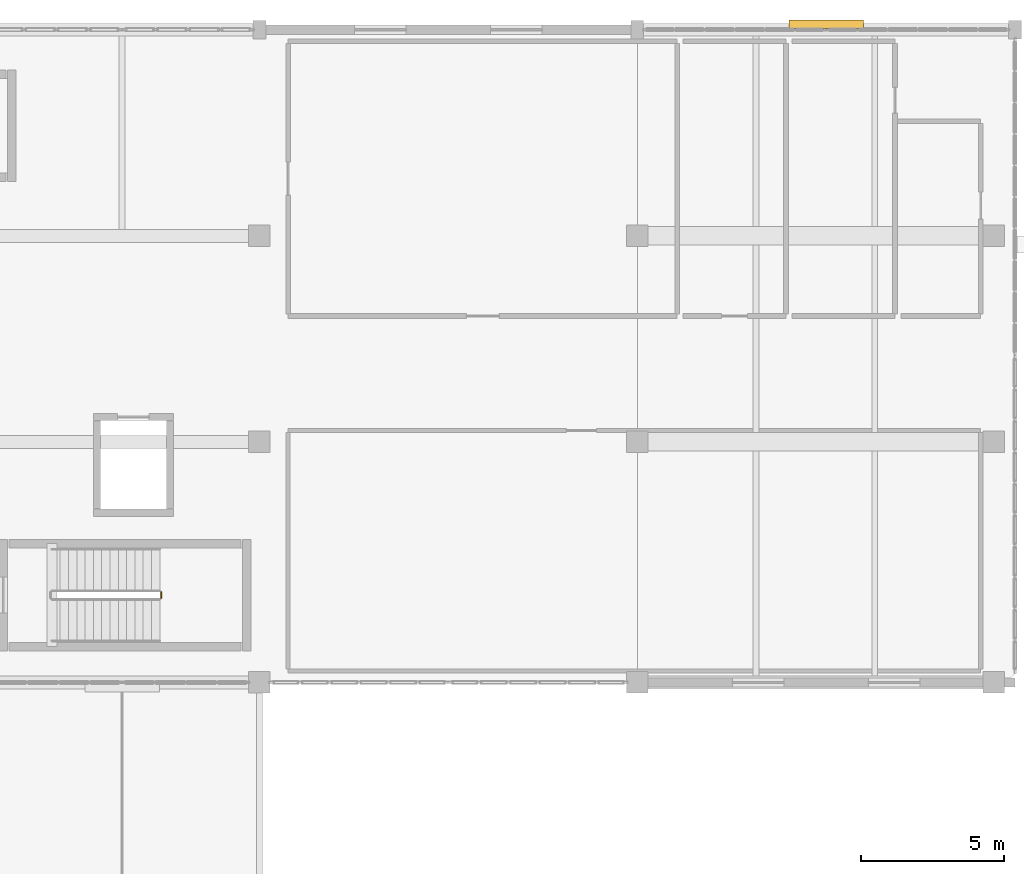
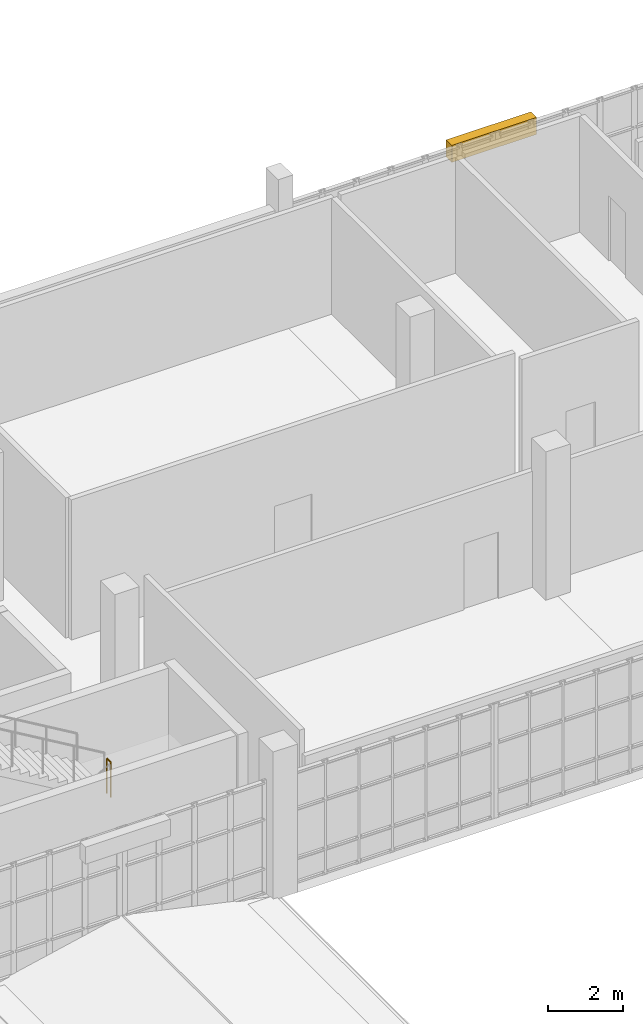
# One storey, part 106 of 106: 1 railing, 1 shading device.
"""IFC4 building model written with IfcOpenShell, lengths in metres."""

from ifc_helpers import new_model, si_unit, direction, frame, origin, origin_2d, place, context, subcontext, project, spatial, rectangle, circle, extrude, material, layer, layer_set, type_object, element, save


model = new_model("IFC4")

# Units and contexts
model_context = context("Model", 3, precision=1e-05, world=origin(), true_north=direction((0.0, 1.0)))
body_context = subcontext(model_context, "Body", "Model", "MODEL_VIEW")
ifc_project = project(units=[si_unit("LENGTHUNIT", "METRE"), si_unit("AREAUNIT", "SQUARE_METRE"), si_unit("VOLUMEUNIT", "CUBIC_METRE"), si_unit("PLANEANGLEUNIT", "RADIAN"), si_unit("MASSUNIT", "GRAM", prefix="KILO")], contexts=[model_context])

# Site, building, storey
site_placement = place(None, origin())
site = spatial("IfcSite", under=ifc_project, at=site_placement, CompositionType="ELEMENT")
building_placement = place(site_placement, origin())
building = spatial("IfcBuilding", under=site, at=building_placement, Name="Kisaragi Civic Commons", CompositionType="ELEMENT")
storey_placement = place(building_placement, frame((0.0, 0.0, 4.800048828125)))
storey = spatial("IfcBuildingStorey", under=building, at=storey_placement, Name="L01", CompositionType="ELEMENT", Elevation=4.800048828125)

# Railing
ifc_material_1 = material(Name="Powder-coated architectural steel and hinoki cap rail", Category="steel")
railing_type = type_object("IfcRailingType", Name="GRD-S1", PredefinedType="GUARDRAIL", material=ifc_material_1)
railing_placement = place(storey_placement, frame((129.77001953125, 98.949951171875, 2.39990234375)))
element("IfcRailing", 1, at=railing_placement, inside=storey, type_object=railing_type, Name="L01 ST-L3 stair guard 2", PredefinedType="GUARDRAIL", context=body_context, shape_type="SweptSolid", body=[
    extrude(circle(Radius=0.02392578125, at=origin_2d()), frame((0.0, 0.0, 1.1259765625), z_axis=(0.0, 1.0, 0.0), x_axis=(-1.0, 0.0, 0.0)), (0.0, 0.0, 1.0), 0.199951171875),
    extrude(circle(Radius=0.02099609375, at=origin_2d()), origin(), (0.0, 0.0, 1.0), 1.101806640625),
    extrude(circle(Radius=0.02099609375, at=origin_2d()), frame((0.0, 0.199951171875, 0.0)), (0.0, 0.0, 1.0), 1.101806640625),
])

# Shading device
ifc_material_2 = material(Name="Extruded Tokoname terracotta sun-louvre blade", Category="masonry")
ifc_layer = layer(ifc_material_2, 0.550048828125, Name="Extruded Tokoname terracotta sun-louvre blade", Category="masonry")
ifc_layer_set = layer_set([ifc_layer], Name="Extruded Tokoname terracotta sun-louvre blade")
shading_device_type = type_object("IfcShadingDeviceType", Name="SHD-02", PredefinedType="JALOUSIE", material=ifc_layer_set)
shading_device_placement = place(storey_placement, frame((153.0, 118.989990234375, 3.205078125), z_axis=(0.0, 0.0, 1.0), x_axis=(1.0, 0.0, 0.0)))
element("IfcShadingDevice", 2, at=shading_device_placement, inside=storey, type_object=shading_device_type, Name="V4 L01 terracotta sun-louvre 10", PredefinedType="JALOUSIE", context=body_context, shape_type="SweptSolid", body=[
    extrude(rectangle(XDim=2.60009765625, YDim=0.300048828125, at=origin_2d()), origin(), (0.0, 0.0, 1.0), 0.550048828125),
])

save(model, "model.ifc")
